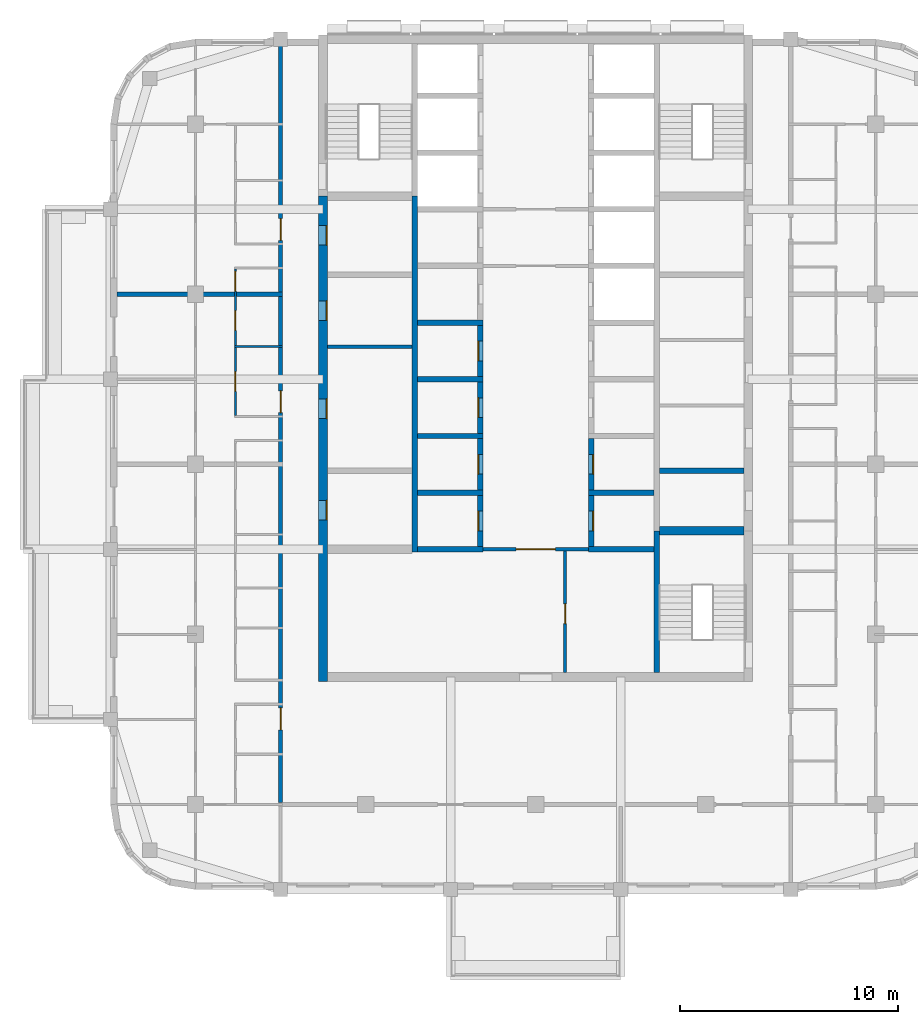
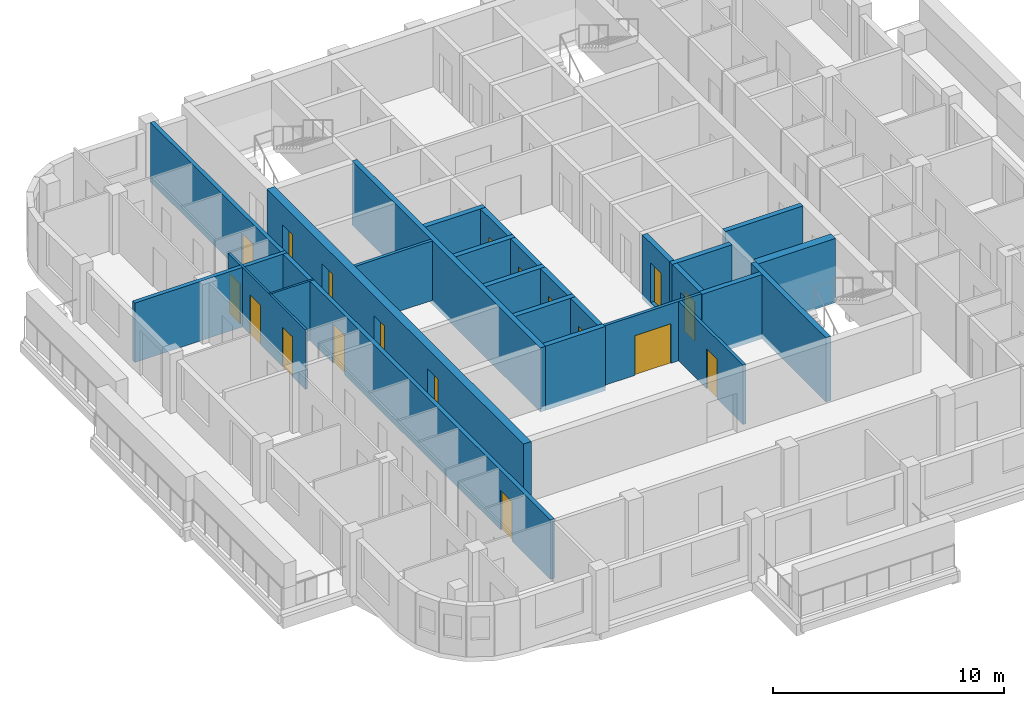
# One storey, part 4 of 13: 25 walls, 18 doors, 18 openings.
"""IFC4 building model written with IfcOpenShell, lengths in metres."""

from ifc_helpers import new_model, si_unit, direction, frame, frame_2d, origin, place, context, subcontext, project, spatial, rectangle, extrude, material, layer, layer_set, type_object, element, fill, save


model = new_model("IFC4")

# Units and contexts
model_context = context("Model", 3, precision=1e-05, world=origin(), true_north=direction((0.0, 1.0)))
body_context = subcontext(model_context, "Body", "Model", "MODEL_VIEW")
ifc_project = project(units=[si_unit("LENGTHUNIT", "METRE"), si_unit("AREAUNIT", "SQUARE_METRE"), si_unit("VOLUMEUNIT", "CUBIC_METRE"), si_unit("PLANEANGLEUNIT", "RADIAN"), si_unit("MASSUNIT", "GRAM", prefix="KILO")], contexts=[model_context])

# Site, building, storey
site_placement = place(None, origin())
site = spatial("IfcSite", under=ifc_project, at=site_placement, CompositionType="ELEMENT")
building_placement = place(site_placement, origin())
building = spatial("IfcBuilding", under=site, at=building_placement, Name="Ludao Terraces", CompositionType="ELEMENT")
storey_placement = place(building_placement, frame((0.0, 0.0, 249.39990234375)))
storey = spatial("IfcBuildingStorey", under=building, at=storey_placement, Name="L68", CompositionType="ELEMENT", Elevation=249.39990234375)

# Wall, openings, doors
ifc_material_1 = material(Name="Concrete C50", Category="concrete")
ifc_layer_1 = layer(ifc_material_1, 0.39990234375)
ifc_layer_set_1 = layer_set([ifc_layer_1], Name="Core wall 400 C50")
wall_type_1 = type_object("IfcWallType", Name="Core wall 400 C50", PredefinedType="SOLIDWALL", material=ifc_layer_set_1)
wall_1_placement = place(storey_placement, frame((75.25, 55.050048828125, -0.25), z_axis=(0.0, 0.0, 1.0), x_axis=(0.0, 1.0, 0.0)))
wall_1 = element("IfcWall", 1, at=wall_1_placement, inside=storey, type_object=wall_type_1, Name="Core wall L68 outer-W", PredefinedType="SOLIDWALL", context=body_context, shape_type="SweptSolid", body=[
    extrude(rectangle(XDim=22.25, YDim=0.39990234375, at=frame_2d((11.125, 0.0))), origin(), (0.0, 0.0, 1.0), 3.400146484375),
])
opening_1_placement = place(wall_1_placement, frame((7.39990234375, 0.0, 0.25)))
opening_1 = element("IfcOpeningElement", 2, at=opening_1_placement, cuts=wall_1, Name="Opening R24-030", PredefinedType="OPENING", context=body_context, shape_type="SweptSolid", body=[
    extrude(rectangle(XDim=0.89990234375, YDim=2.10009765625, at=frame_2d((0.449951171875, 1.050048828125))), frame((0.0, 0.2099609375, 0.0), z_axis=(0.0, -1.0, 0.0), x_axis=(1.0, 0.0, 0.0)), (0.0, 0.0, 1.0), 0.419921875),
])
opening_2_placement = place(wall_1_placement, frame((12.050048828125, 0.0, 0.25)))
opening_2 = element("IfcOpeningElement", 3, at=opening_2_placement, cuts=wall_1, Name="Opening R24-043", PredefinedType="OPENING", context=body_context, shape_type="SweptSolid", body=[
    extrude(rectangle(XDim=0.89990234375, YDim=2.10009765625, at=frame_2d((0.449951171875, 1.050048828125))), frame((0.0, 0.2099609375, 0.0), z_axis=(0.0, -1.0, 0.0), x_axis=(1.0, 0.0, 0.0)), (0.0, 0.0, 1.0), 0.419921875),
])
opening_3_placement = place(wall_1_placement, frame((16.550048828125, 0.0, 0.25)))
opening_3 = element("IfcOpeningElement", 4, at=opening_3_placement, cuts=wall_1, Name="Opening R24-057", PredefinedType="OPENING", context=body_context, shape_type="SweptSolid", body=[
    extrude(rectangle(XDim=0.89990234375, YDim=2.10009765625, at=frame_2d((0.449951171875, 1.050048828125))), frame((0.0, 0.2099609375, 0.0), z_axis=(0.0, -1.0, 0.0), x_axis=(1.0, 0.0, 0.0)), (0.0, 0.0, 1.0), 0.419921875),
])
opening_4_placement = place(wall_1_placement, frame((20.0, 0.0, 0.25)))
opening_4 = element("IfcOpeningElement", 5, at=opening_4_placement, cuts=wall_1, Name="Opening R24-066", PredefinedType="OPENING", context=body_context, shape_type="SweptSolid", body=[
    extrude(rectangle(XDim=0.89990234375, YDim=2.10009765625, at=frame_2d((0.449951171875, 1.050048828125))), frame((0.0, 0.2099609375, 0.0), z_axis=(0.0, -1.0, 0.0), x_axis=(1.0, 0.0, 0.0)), (0.0, 0.0, 1.0), 0.419921875),
])
ifc_material_2 = material(Name="Steel Q235", Category="steel")
door_type_1 = type_object("IfcDoorType", Name="INT Riser door 900", OperationType="SINGLE_SWING_LEFT", PredefinedType="DOOR", material=ifc_material_2)
door_1_placement = place(opening_1_placement, origin())
door_1 = element("IfcDoor", 6, at=door_1_placement, inside=storey, type_object=door_type_1, Name="DOOR 030", OperationType="SINGLE_SWING_RIGHT", OverallHeight=2.10009765625, OverallWidth=0.89990234375, PredefinedType="DOOR", context=body_context, shape_type="SweptSolid", body=[
    extrude(rectangle(XDim=0.89990234375, YDim=2.10009765625, at=frame_2d((0.449951171875, 1.050048828125))), frame((0.0, -0.134765625, 0.0), z_axis=(0.0, -1.0, 0.0), x_axis=(1.0, 0.0, 0.0)), (0.0, 0.0, 1.0), 0.050048828125),
])
fill(opening_1, door_1)
door_2_placement = place(opening_4_placement, origin())
door_2 = element("IfcDoor", 7, at=door_2_placement, inside=storey, type_object=door_type_1, Name="DOOR 066", OperationType="SINGLE_SWING_LEFT", OverallHeight=2.10009765625, OverallWidth=0.89990234375, PredefinedType="DOOR", context=body_context, shape_type="SweptSolid", body=[
    extrude(rectangle(XDim=0.89990234375, YDim=2.10009765625, at=frame_2d((0.449951171875, 1.050048828125))), frame((0.0, -0.134765625, 0.0), z_axis=(0.0, -1.0, 0.0), x_axis=(1.0, 0.0, 0.0)), (0.0, 0.0, 1.0), 0.050048828125),
])
fill(opening_4, door_2)
ifc_material_3 = material(Name="Timber door leaf", Category="wood")
door_type_2 = type_object("IfcDoorType", Name="INT Room door 900", OperationType="SINGLE_SWING_LEFT", PredefinedType="DOOR", material=ifc_material_3)
door_3_placement = place(opening_2_placement, origin())
door_3 = element("IfcDoor", 8, at=door_3_placement, inside=storey, type_object=door_type_2, Name="DOOR 043", OperationType="SINGLE_SWING_RIGHT", OverallHeight=2.10009765625, OverallWidth=0.89990234375, PredefinedType="DOOR", context=body_context, shape_type="SweptSolid", body=[
    extrude(rectangle(XDim=0.89990234375, YDim=2.10009765625, at=frame_2d((0.449951171875, 1.050048828125))), frame((0.0, -0.134765625, 0.0), z_axis=(0.0, -1.0, 0.0), x_axis=(1.0, 0.0, 0.0)), (0.0, 0.0, 1.0), 0.050048828125),
])
fill(opening_2, door_3)
door_4_placement = place(opening_3_placement, origin())
door_4 = element("IfcDoor", 9, at=door_4_placement, inside=storey, type_object=door_type_2, Name="DOOR 057", OperationType="SINGLE_SWING_RIGHT", OverallHeight=2.10009765625, OverallWidth=0.89990234375, PredefinedType="DOOR", context=body_context, shape_type="SweptSolid", body=[
    extrude(rectangle(XDim=0.89990234375, YDim=2.10009765625, at=frame_2d((0.449951171875, 1.050048828125))), frame((0.0, -0.134765625, 0.0), z_axis=(0.0, -1.0, 0.0), x_axis=(1.0, 0.0, 0.0)), (0.0, 0.0, 1.0), 0.050048828125),
])
fill(opening_3, door_4)

# Wall, opening, door
ifc_material_4 = material(Name="Fire-rated gypsum plasterboard", Category="gypsum")
ifc_layer_2 = layer(ifc_material_4, 0.012451171875, Category="gypsum")
ifc_material_5 = material(Name="Mineral wool")
ifc_layer_3 = layer(ifc_material_5, 0.10009765625, Name="insulation")
ifc_layer_4 = layer(ifc_material_2, 0.02490234375, Name="stud")
ifc_layer_5 = layer(ifc_material_4, 0.012451171875, Category="gypsum")
ifc_layer_set_2 = layer_set([ifc_layer_2, ifc_layer_3, ifc_layer_4, ifc_layer_5], Name="INT Core partition 150")
wall_type_2 = type_object("IfcWallType", Name="INT Core partition 150", PredefinedType="PARTITIONING", material=ifc_layer_set_2)
wall_2_placement = place(storey_placement, frame((82.5751953125, 61.10009765625, 0.0), z_axis=(0.0, 0.0, 1.0), x_axis=(1.0, 0.0, 0.0)))
wall_2 = element("IfcWall", 10, at=wall_2_placement, inside=storey, type_object=wall_type_2, Name="PW-L68-PW017", PredefinedType="PARTITIONING", context=body_context, shape_type="SweptSolid", body=[
    extrude(rectangle(XDim=4.849853515625, YDim=0.14990234375, at=frame_2d((2.4248046875, 0.0))), origin(), (0.0, 0.0, 1.0), 3.150146484375),
])
opening_5_placement = place(wall_2_placement, frame((1.52490234375, 0.0, 0.0)))
opening_5 = element("IfcOpeningElement", 11, at=opening_5_placement, cuts=wall_2, Name="Opening R24-026", PredefinedType="OPENING", context=body_context, shape_type="SweptSolid", body=[
    extrude(rectangle(XDim=1.800048828125, YDim=2.10009765625, at=frame_2d((0.89990234375, 1.050048828125))), frame((0.0, 0.0849609375, 0.0), z_axis=(0.0, -1.0, 0.0), x_axis=(1.0, 0.0, 0.0)), (0.0, 0.0, 1.0), 0.169921875),
])
door_type_3 = type_object("IfcDoorType", Name="INT Fire lobby door 1800", OperationType="DOUBLE_DOOR_SINGLE_SWING", PredefinedType="DOOR", material=ifc_material_2)
door_5_placement = place(opening_5_placement, origin())
door_5 = element("IfcDoor", 12, at=door_5_placement, inside=storey, type_object=door_type_3, Name="DOOR 026", OperationType="DOUBLE_DOOR_SINGLE_SWING", OverallHeight=2.10009765625, OverallWidth=1.800048828125, PredefinedType="DOOR", context=body_context, shape_type="SweptSolid", body=[
    extrude(rectangle(XDim=1.800048828125, YDim=2.10009765625, at=frame_2d((0.89990234375, 1.050048828125))), frame((0.0, 0.02490234375, 0.0), z_axis=(0.0, -1.0, 0.0), x_axis=(1.0, 0.0, 0.0)), (0.0, 0.0, 1.0), 0.050048828125),
])
fill(opening_5, door_5)

# Wall
wall_3_placement = place(storey_placement, frame((75.4501953125, 70.39990234375, 0.0), z_axis=(0.0, 0.0, 1.0), x_axis=(1.0, 0.0, 0.0)))
element("IfcWall", 13, at=wall_3_placement, inside=storey, type_object=wall_type_2, Name="PW-L68-PW032", PredefinedType="PARTITIONING", context=body_context, shape_type="SweptSolid", body=[
    extrude(rectangle(XDim=3.875, YDim=0.14990234375, at=frame_2d((1.9375, 0.0))), origin(), (0.0, 0.0, 1.0), 3.150146484375),
])

# Wall, opening, door
wall_4_placement = place(storey_placement, frame((86.35009765625, 55.4501953125, 0.0), z_axis=(0.0, 0.0, 1.0), x_axis=(0.0, 1.0, 0.0)))
wall_4 = element("IfcWall", 14, at=wall_4_placement, inside=storey, type_object=wall_type_2, Name="PW-L68-PW053", PredefinedType="PARTITIONING", context=body_context, shape_type="SweptSolid", body=[
    extrude(rectangle(XDim=5.574951171875, YDim=0.14990234375, at=frame_2d((2.78759765625, 0.0))), origin(), (0.0, 0.0, 1.0), 3.150146484375),
])
opening_6_placement = place(wall_4_placement, frame((2.25, 0.0, 0.0)))
opening_6 = element("IfcOpeningElement", 15, at=opening_6_placement, cuts=wall_4, Name="Opening R24-020", PredefinedType="OPENING", context=body_context, shape_type="SweptSolid", body=[
    extrude(rectangle(XDim=0.89990234375, YDim=2.10009765625, at=frame_2d((0.449951171875, 1.050048828125))), frame((0.0, 0.0849609375, 0.0), z_axis=(0.0, -1.0, 0.0), x_axis=(1.0, 0.0, 0.0)), (0.0, 0.0, 1.0), 0.169921875),
])
door_6_placement = place(opening_6_placement, origin())
door_6 = element("IfcDoor", 16, at=door_6_placement, inside=storey, type_object=door_type_2, Name="DOOR 020", OperationType="SINGLE_SWING_RIGHT", OverallHeight=2.10009765625, OverallWidth=0.89990234375, PredefinedType="DOOR", context=body_context, shape_type="SweptSolid", body=[
    extrude(rectangle(XDim=0.89990234375, YDim=2.10009765625, at=frame_2d((0.449951171875, 1.050048828125))), frame((0.0, 0.02490234375, 0.0), z_axis=(0.0, -1.0, 0.0), x_axis=(1.0, 0.0, 0.0)), (0.0, 0.0, 1.0), 0.050048828125),
])
fill(opening_6, door_6)

# Wall, openings, doors
ifc_material_6 = material(Name="Autoclaved aerated concrete block B06 A3.5", Category="concrete")
ifc_layer_6 = layer(ifc_material_6, 0.199951171875)
ifc_layer_set_3 = layer_set([ifc_layer_6], Name="INT Entrance wall 200")
wall_type_3 = type_object("IfcWallType", Name="INT Entrance wall 200", PredefinedType="PARTITIONING", material=ifc_layer_set_3)
wall_5_placement = place(storey_placement, frame((73.300048828125, 49.5, 0.0), z_axis=(0.0, 0.0, 1.0), x_axis=(0.0, 1.0, 0.0)))
wall_5 = element("IfcWall", 17, at=wall_5_placement, inside=storey, type_object=wall_type_3, Name="PW-L68-PW052", PredefinedType="PARTITIONING", context=body_context, shape_type="SweptSolid", body=[
    extrude(rectangle(XDim=34.7001953125, YDim=0.199951171875, at=frame_2d((17.35009765625, 0.0))), origin(), (0.0, 0.0, 1.0), 3.150146484375),
])
opening_7_placement = place(wall_5_placement, frame((3.3251953125, 0.0, 0.0)))
opening_7 = element("IfcOpeningElement", 18, at=opening_7_placement, cuts=wall_5, Name="Opening R24-014", PredefinedType="OPENING", context=body_context, shape_type="SweptSolid", body=[
    extrude(rectangle(XDim=1.0, YDim=2.10009765625, at=frame_2d((0.5, 1.050048828125))), frame((0.0, 0.10986328125, 0.0), z_axis=(0.0, -1.0, 0.0), x_axis=(1.0, 0.0, 0.0)), (0.0, 0.0, 1.0), 0.219970703125),
])
opening_8_placement = place(wall_5_placement, frame((17.875, 0.0, 0.0)))
opening_8 = element("IfcOpeningElement", 19, at=opening_8_placement, cuts=wall_5, Name="Opening R24-046", PredefinedType="OPENING", context=body_context, shape_type="SweptSolid", body=[
    extrude(rectangle(XDim=1.0, YDim=2.10009765625, at=frame_2d((0.5, 1.050048828125))), frame((0.0, 0.10986328125, 0.0), z_axis=(0.0, -1.0, 0.0), x_axis=(1.0, 0.0, 0.0)), (0.0, 0.0, 1.0), 0.219970703125),
])
opening_9_placement = place(wall_5_placement, frame((25.775146484375, 0.0, 0.0)))
opening_9 = element("IfcOpeningElement", 20, at=opening_9_placement, cuts=wall_5, Name="Opening R24-068", PredefinedType="OPENING", context=body_context, shape_type="SweptSolid", body=[
    extrude(rectangle(XDim=1.0, YDim=2.10009765625, at=frame_2d((0.5, 1.050048828125))), frame((0.0, 0.10986328125, 0.0), z_axis=(0.0, -1.0, 0.0), x_axis=(1.0, 0.0, 0.0)), (0.0, 0.0, 1.0), 0.219970703125),
])
door_type_4 = type_object("IfcDoorType", Name="INT Flat entrance door 1000", OperationType="SINGLE_SWING_LEFT", PredefinedType="DOOR", material=ifc_material_2)
door_7_placement = place(opening_7_placement, origin())
door_7 = element("IfcDoor", 21, at=door_7_placement, inside=storey, type_object=door_type_4, Name="DOOR 014", OperationType="SINGLE_SWING_LEFT", OverallHeight=2.10009765625, OverallWidth=1.0, PredefinedType="DOOR", context=body_context, shape_type="SweptSolid", body=[
    extrude(rectangle(XDim=1.0, YDim=2.10009765625, at=frame_2d((0.5, 1.050048828125))), frame((0.0, 0.02490234375, 0.0), z_axis=(0.0, -1.0, 0.0), x_axis=(1.0, 0.0, 0.0)), (0.0, 0.0, 1.0), 0.050048828125),
])
fill(opening_7, door_7)
door_8_placement = place(opening_8_placement, origin())
door_8 = element("IfcDoor", 22, at=door_8_placement, inside=storey, type_object=door_type_4, Name="DOOR 046", OperationType="SINGLE_SWING_RIGHT", OverallHeight=2.10009765625, OverallWidth=1.0, PredefinedType="DOOR", context=body_context, shape_type="SweptSolid", body=[
    extrude(rectangle(XDim=1.0, YDim=2.10009765625, at=frame_2d((0.5, 1.050048828125))), frame((0.0, 0.02490234375, 0.0), z_axis=(0.0, -1.0, 0.0), x_axis=(1.0, 0.0, 0.0)), (0.0, 0.0, 1.0), 0.050048828125),
])
fill(opening_8, door_8)
door_9_placement = place(opening_9_placement, origin())
door_9 = element("IfcDoor", 23, at=door_9_placement, inside=storey, type_object=door_type_4, Name="DOOR 068", OperationType="SINGLE_SWING_RIGHT", OverallHeight=2.10009765625, OverallWidth=1.0, PredefinedType="DOOR", context=body_context, shape_type="SweptSolid", body=[
    extrude(rectangle(XDim=1.0, YDim=2.10009765625, at=frame_2d((0.5, 1.050048828125))), frame((0.0, 0.02490234375, 0.0), z_axis=(0.0, -1.0, 0.0), x_axis=(1.0, 0.0, 0.0)), (0.0, 0.0, 1.0), 0.050048828125),
])
fill(opening_9, door_9)

# Wall
ifc_material_7 = material(Name="Gypsum plasterboard", Category="gypsum")
ifc_layer_7 = layer(ifc_material_7, 0.012451171875, Category="gypsum")
ifc_layer_8 = layer(ifc_material_5, 0.06005859375, Name="insulation")
ifc_layer_9 = layer(ifc_material_2, 0.014892578125, Name="stud")
ifc_layer_10 = layer(ifc_material_7, 0.012451171875, Category="gypsum")
ifc_layer_set_4 = layer_set([ifc_layer_7, ifc_layer_8, ifc_layer_9, ifc_layer_10], Name="INT Partition 100")
wall_type_4 = type_object("IfcWallType", Name="INT Partition 100", PredefinedType="PARTITIONING", material=ifc_layer_set_4)
wall_6_placement = place(storey_placement, frame((71.18017578125, 70.39990234375, 0.0), z_axis=(0.0, 0.0, 1.0), x_axis=(1.0, 0.0, 0.0)))
element("IfcWall", 24, at=wall_6_placement, inside=storey, type_object=wall_type_4, Name="PW-L68-PW031", PredefinedType="PARTITIONING", context=body_context, shape_type="SweptSolid", body=[
    extrude(rectangle(XDim=2.219970703125, YDim=0.10009765625, at=frame_2d((1.10986328125, 0.0))), origin(), (0.0, 0.0, 1.0), 3.150146484375),
])

# Wall, openings, doors
wall_7_placement = place(storey_placement, frame((71.22998046875, 67.25, 0.0), z_axis=(0.0, 0.0, 1.0), x_axis=(0.0, 1.0, 0.0)))
wall_7 = element("IfcWall", 25, at=wall_7_placement, inside=storey, type_object=wall_type_4, Name="PW-L68-PW049", PredefinedType="PARTITIONING", context=body_context, shape_type="SweptSolid", body=[
    extrude(rectangle(XDim=6.7001953125, YDim=0.10009765625, at=frame_2d((3.35009765625, 0.0))), origin(), (0.0, 0.0, 1.0), 3.150146484375),
])
opening_10_placement = place(wall_7_placement, frame((1.10009765625, 0.0, 0.0)))
opening_10 = element("IfcOpeningElement", 26, at=opening_10_placement, cuts=wall_7, Name="Opening R24-048", PredefinedType="OPENING", context=body_context, shape_type="SweptSolid", body=[
    extrude(rectangle(XDim=0.89990234375, YDim=2.10009765625, at=frame_2d((0.449951171875, 1.050048828125))), frame((0.0, 0.06005859375, 0.0), z_axis=(0.0, -1.0, 0.0), x_axis=(1.0, 0.0, 0.0)), (0.0, 0.0, 1.0), 0.1201171875),
])
opening_11_placement = place(wall_7_placement, frame((3.900146484375, 0.0, 0.0)))
opening_11 = element("IfcOpeningElement", 27, at=opening_11_placement, cuts=wall_7, Name="Opening R24-056", PredefinedType="OPENING", context=body_context, shape_type="SweptSolid", body=[
    extrude(rectangle(XDim=0.89990234375, YDim=2.10009765625, at=frame_2d((0.449951171875, 1.050048828125))), frame((0.0, 0.06005859375, 0.0), z_axis=(0.0, -1.0, 0.0), x_axis=(1.0, 0.0, 0.0)), (0.0, 0.0, 1.0), 0.1201171875),
])
opening_12_placement = place(wall_7_placement, frame((5.7001953125, 0.0, 0.0)))
opening_12 = element("IfcOpeningElement", 28, at=opening_12_placement, cuts=wall_7, Name="Opening R24-061", PredefinedType="OPENING", context=body_context, shape_type="SweptSolid", body=[
    extrude(rectangle(XDim=0.89990234375, YDim=2.10009765625, at=frame_2d((0.449951171875, 1.050048828125))), frame((0.0, 0.06005859375, 0.0), z_axis=(0.0, -1.0, 0.0), x_axis=(1.0, 0.0, 0.0)), (0.0, 0.0, 1.0), 0.1201171875),
])
door_type_5 = type_object("IfcDoorType", Name="INT Bathroom door 900", OperationType="SINGLE_SWING_LEFT", PredefinedType="DOOR", material=ifc_material_3)
door_10_placement = place(opening_11_placement, origin())
door_10 = element("IfcDoor", 29, at=door_10_placement, inside=storey, type_object=door_type_5, Name="DOOR 056", OperationType="SINGLE_SWING_RIGHT", OverallHeight=2.10009765625, OverallWidth=0.89990234375, PredefinedType="DOOR", context=body_context, shape_type="SweptSolid", body=[
    extrude(rectangle(XDim=0.89990234375, YDim=2.10009765625, at=frame_2d((0.449951171875, 1.050048828125))), frame((0.0, 0.02490234375, 0.0), z_axis=(0.0, -1.0, 0.0), x_axis=(1.0, 0.0, 0.0)), (0.0, 0.0, 1.0), 0.050048828125),
])
fill(opening_11, door_10)
door_11_placement = place(opening_12_placement, origin())
door_11 = element("IfcDoor", 30, at=door_11_placement, inside=storey, type_object=door_type_5, Name="DOOR 061", OperationType="SINGLE_SWING_RIGHT", OverallHeight=2.10009765625, OverallWidth=0.89990234375, PredefinedType="DOOR", context=body_context, shape_type="SweptSolid", body=[
    extrude(rectangle(XDim=0.89990234375, YDim=2.10009765625, at=frame_2d((0.449951171875, 1.050048828125))), frame((0.0, 0.02490234375, 0.0), z_axis=(0.0, -1.0, 0.0), x_axis=(1.0, 0.0, 0.0)), (0.0, 0.0, 1.0), 0.050048828125),
])
fill(opening_12, door_11)
door_12_placement = place(opening_10_placement, origin())
door_12 = element("IfcDoor", 31, at=door_12_placement, inside=storey, type_object=door_type_2, Name="DOOR 048", OperationType="SINGLE_SWING_RIGHT", OverallHeight=2.10009765625, OverallWidth=0.89990234375, PredefinedType="DOOR", context=body_context, shape_type="SweptSolid", body=[
    extrude(rectangle(XDim=0.89990234375, YDim=2.10009765625, at=frame_2d((0.449951171875, 1.050048828125))), frame((0.0, 0.02490234375, 0.0), z_axis=(0.0, -1.0, 0.0), x_axis=(1.0, 0.0, 0.0)), (0.0, 0.0, 1.0), 0.050048828125),
])
fill(opening_10, door_12)

# Walls
ifc_layer_11 = layer(ifc_material_6, 0.199951171875)
ifc_layer_set_5 = layer_set([ifc_layer_11], Name="INT Party wall 200")
wall_type_5 = type_object("IfcWallType", Name="INT Party wall 200", PredefinedType="PARTITIONING", material=ifc_layer_set_5)
wall_8_placement = place(storey_placement, frame((65.800048828125, 72.800048828125, 0.0), z_axis=(0.0, 0.0, 1.0), x_axis=(1.0, 0.0, 0.0)))
element("IfcWall", 32, at=wall_8_placement, inside=storey, type_object=wall_type_5, Name="PW-L68-PW034", PredefinedType="PARTITIONING", context=body_context, shape_type="SweptSolid", body=[
    extrude(rectangle(XDim=7.60009765625, YDim=0.199951171875, at=frame_2d((3.800048828125, 0.0))), origin(), (0.0, 0.0, 1.0), 3.150146484375),
])
ifc_layer_12 = layer(ifc_material_1, 0.25)
ifc_layer_set_6 = layer_set([ifc_layer_12], Name="Shaft wall 250 C50")
wall_type_6 = type_object("IfcWallType", Name="Shaft wall 250 C50", PredefinedType="SOLIDWALL", material=ifc_layer_set_6)
wall_9_placement = place(storey_placement, frame((79.449951171875, 60.97509765625, -0.25), z_axis=(0.0, 0.0, 1.0), x_axis=(0.0, 1.0, 0.0)))
element("IfcWall", 33, at=wall_9_placement, inside=storey, type_object=wall_type_6, Name="Core wall L68 back-W", PredefinedType="SOLIDWALL", context=body_context, shape_type="SweptSolid", body=[
    extrude(rectangle(XDim=16.324951171875, YDim=0.25, at=frame_2d((8.16259765625, 0.0))), origin(), (0.0, 0.0, 1.0), 3.400146484375),
])
wall_10_placement = place(storey_placement, frame((90.550048828125, 55.449951171875, -0.25), z_axis=(0.0, 0.0, 1.0), x_axis=(0.0, 1.0, 0.0)))
element("IfcWall", 34, at=wall_10_placement, inside=storey, type_object=wall_type_6, Name="Core wall L68 back-E-S3", PredefinedType="SOLIDWALL", context=body_context, shape_type="SweptSolid", body=[
    extrude(rectangle(XDim=6.5, YDim=0.25, at=frame_2d((3.25, 0.0))), origin(), (0.0, 0.0, 1.0), 3.400146484375),
])
wall_11_placement = place(storey_placement, frame((79.574951171875, 61.10009765625, -0.25), z_axis=(0.0, 0.0, 1.0), x_axis=(1.0, 0.0, 0.0)))
element("IfcWall", 35, at=wall_11_placement, inside=storey, type_object=wall_type_6, Name="Core wall L68 div-W1", PredefinedType="SOLIDWALL", context=body_context, shape_type="SweptSolid", body=[
    extrude(rectangle(XDim=3.0, YDim=0.25, at=frame_2d((1.5, 0.0))), origin(), (0.0, 0.0, 1.0), 3.400146484375),
])

# Wall, opening, door
wall_12_placement = place(storey_placement, frame((82.449951171875, 61.22509765625, -0.25), z_axis=(0.0, 0.0, 1.0), x_axis=(0.0, 1.0, 0.0)))
wall_12 = element("IfcWall", 36, at=wall_12_placement, inside=storey, type_object=wall_type_6, Name="Core wall L68 front-W1", PredefinedType="SOLIDWALL", context=body_context, shape_type="SweptSolid", body=[
    extrude(rectangle(XDim=2.349853515625, YDim=0.25, at=frame_2d((1.1748046875, 0.0))), origin(), (0.0, 0.0, 1.0), 3.400146484375),
])
opening_13_placement = place(wall_12_placement, frame((0.72509765625, 0.0, 0.25)))
opening_13 = element("IfcOpeningElement", 37, at=opening_13_placement, cuts=wall_12, Name="Opening R24-028", PredefinedType="OPENING", context=body_context, shape_type="SweptSolid", body=[
    extrude(rectangle(XDim=0.89990234375, YDim=2.10009765625, at=frame_2d((0.449951171875, 1.050048828125))), frame((0.0, 0.135009765625, 0.0), z_axis=(0.0, -1.0, 0.0), x_axis=(1.0, 0.0, 0.0)), (0.0, 0.0, 1.0), 0.27001953125),
])
door_13_placement = place(opening_13_placement, origin())
door_13 = element("IfcDoor", 38, at=door_13_placement, inside=storey, type_object=door_type_2, Name="DOOR 028", OperationType="SINGLE_SWING_LEFT", OverallHeight=2.10009765625, OverallWidth=0.89990234375, PredefinedType="DOOR", context=body_context, shape_type="SweptSolid", body=[
    extrude(rectangle(XDim=0.89990234375, YDim=2.10009765625, at=frame_2d((0.449951171875, 1.050048828125))), frame((0.0, 0.10986328125, 0.0), z_axis=(0.0, -1.0, 0.0), x_axis=(1.0, 0.0, 0.0)), (0.0, 0.0, 1.0), 0.050048828125),
])
fill(opening_13, door_13)

# Wall
wall_13_placement = place(storey_placement, frame((79.574951171875, 63.699951171875, -0.25), z_axis=(0.0, 0.0, 1.0), x_axis=(1.0, 0.0, 0.0)))
element("IfcWall", 39, at=wall_13_placement, inside=storey, type_object=wall_type_6, Name="Core wall L68 div-W2", PredefinedType="SOLIDWALL", context=body_context, shape_type="SweptSolid", body=[
    extrude(rectangle(XDim=3.0, YDim=0.25, at=frame_2d((1.5, 0.0))), origin(), (0.0, 0.0, 1.0), 3.400146484375),
])

# Wall, opening, door
wall_14_placement = place(storey_placement, frame((82.449951171875, 63.824951171875, -0.25), z_axis=(0.0, 0.0, 1.0), x_axis=(0.0, 1.0, 0.0)))
wall_14 = element("IfcWall", 40, at=wall_14_placement, inside=storey, type_object=wall_type_6, Name="Core wall L68 front-W2", PredefinedType="SOLIDWALL", context=body_context, shape_type="SweptSolid", body=[
    extrude(rectangle(XDim=2.35009765625, YDim=0.25, at=frame_2d((1.175048828125, 0.0))), origin(), (0.0, 0.0, 1.0), 3.400146484375),
])
opening_14_placement = place(wall_14_placement, frame((0.72509765625, 0.0, 0.25)))
opening_14 = element("IfcOpeningElement", 41, at=opening_14_placement, cuts=wall_14, Name="Opening R24-036", PredefinedType="OPENING", context=body_context, shape_type="SweptSolid", body=[
    extrude(rectangle(XDim=0.89990234375, YDim=2.10009765625, at=frame_2d((0.449951171875, 1.050048828125))), frame((0.0, 0.135009765625, 0.0), z_axis=(0.0, -1.0, 0.0), x_axis=(1.0, 0.0, 0.0)), (0.0, 0.0, 1.0), 0.27001953125),
])
door_14_placement = place(opening_14_placement, origin())
door_14 = element("IfcDoor", 42, at=door_14_placement, inside=storey, type_object=door_type_2, Name="DOOR 036", OperationType="SINGLE_SWING_LEFT", OverallHeight=2.10009765625, OverallWidth=0.89990234375, PredefinedType="DOOR", context=body_context, shape_type="SweptSolid", body=[
    extrude(rectangle(XDim=0.89990234375, YDim=2.10009765625, at=frame_2d((0.449951171875, 1.050048828125))), frame((0.0, 0.10986328125, 0.0), z_axis=(0.0, -1.0, 0.0), x_axis=(1.0, 0.0, 0.0)), (0.0, 0.0, 1.0), 0.050048828125),
])
fill(opening_14, door_14)

# Wall
wall_15_placement = place(storey_placement, frame((79.574951171875, 66.300048828125, -0.25), z_axis=(0.0, 0.0, 1.0), x_axis=(1.0, 0.0, 0.0)))
element("IfcWall", 43, at=wall_15_placement, inside=storey, type_object=wall_type_6, Name="Core wall L68 div-W3", PredefinedType="SOLIDWALL", context=body_context, shape_type="SweptSolid", body=[
    extrude(rectangle(XDim=3.0, YDim=0.25, at=frame_2d((1.5, 0.0))), origin(), (0.0, 0.0, 1.0), 3.400146484375),
])

# Wall, opening, door
wall_16_placement = place(storey_placement, frame((82.449951171875, 66.425048828125, -0.25), z_axis=(0.0, 0.0, 1.0), x_axis=(0.0, 1.0, 0.0)))
wall_16 = element("IfcWall", 44, at=wall_16_placement, inside=storey, type_object=wall_type_6, Name="Core wall L68 front-W3", PredefinedType="SOLIDWALL", context=body_context, shape_type="SweptSolid", body=[
    extrude(rectangle(XDim=2.349853515625, YDim=0.25, at=frame_2d((1.1748046875, 0.0))), origin(), (0.0, 0.0, 1.0), 3.400146484375),
])
opening_15_placement = place(wall_16_placement, frame((0.72509765625, 0.0, 0.25)))
opening_15 = element("IfcOpeningElement", 45, at=opening_15_placement, cuts=wall_16, Name="Opening R24-044", PredefinedType="OPENING", context=body_context, shape_type="SweptSolid", body=[
    extrude(rectangle(XDim=0.89990234375, YDim=2.10009765625, at=frame_2d((0.449951171875, 1.050048828125))), frame((0.0, 0.135009765625, 0.0), z_axis=(0.0, -1.0, 0.0), x_axis=(1.0, 0.0, 0.0)), (0.0, 0.0, 1.0), 0.27001953125),
])
door_15_placement = place(opening_15_placement, origin())
door_15 = element("IfcDoor", 46, at=door_15_placement, inside=storey, type_object=door_type_2, Name="DOOR 044", OperationType="SINGLE_SWING_LEFT", OverallHeight=2.10009765625, OverallWidth=0.89990234375, PredefinedType="DOOR", context=body_context, shape_type="SweptSolid", body=[
    extrude(rectangle(XDim=0.89990234375, YDim=2.10009765625, at=frame_2d((0.449951171875, 1.050048828125))), frame((0.0, 0.10986328125, 0.0), z_axis=(0.0, -1.0, 0.0), x_axis=(1.0, 0.0, 0.0)), (0.0, 0.0, 1.0), 0.050048828125),
])
fill(opening_15, door_15)

# Wall
wall_17_placement = place(storey_placement, frame((79.574951171875, 68.89990234375, -0.25), z_axis=(0.0, 0.0, 1.0), x_axis=(1.0, 0.0, 0.0)))
element("IfcWall", 47, at=wall_17_placement, inside=storey, type_object=wall_type_6, Name="Core wall L68 div-W4", PredefinedType="SOLIDWALL", context=body_context, shape_type="SweptSolid", body=[
    extrude(rectangle(XDim=3.0, YDim=0.25, at=frame_2d((1.5, 0.0))), origin(), (0.0, 0.0, 1.0), 3.400146484375),
])

# Wall, opening, door
wall_18_placement = place(storey_placement, frame((82.449951171875, 69.02490234375, -0.25), z_axis=(0.0, 0.0, 1.0), x_axis=(0.0, 1.0, 0.0)))
wall_18 = element("IfcWall", 48, at=wall_18_placement, inside=storey, type_object=wall_type_6, Name="Core wall L68 front-W4", PredefinedType="SOLIDWALL", context=body_context, shape_type="SweptSolid", body=[
    extrude(rectangle(XDim=2.35009765625, YDim=0.25, at=frame_2d((1.175048828125, 0.0))), origin(), (0.0, 0.0, 1.0), 3.400146484375),
])
opening_16_placement = place(wall_18_placement, frame((0.72509765625, 0.0, 0.25)))
opening_16 = element("IfcOpeningElement", 49, at=opening_16_placement, cuts=wall_18, Name="Opening R24-051", PredefinedType="OPENING", context=body_context, shape_type="SweptSolid", body=[
    extrude(rectangle(XDim=0.89990234375, YDim=2.10009765625, at=frame_2d((0.449951171875, 1.050048828125))), frame((0.0, 0.135009765625, 0.0), z_axis=(0.0, -1.0, 0.0), x_axis=(1.0, 0.0, 0.0)), (0.0, 0.0, 1.0), 0.27001953125),
])
door_16_placement = place(opening_16_placement, origin())
door_16 = element("IfcDoor", 50, at=door_16_placement, inside=storey, type_object=door_type_2, Name="DOOR 051", OperationType="SINGLE_SWING_RIGHT", OverallHeight=2.10009765625, OverallWidth=0.89990234375, PredefinedType="DOOR", context=body_context, shape_type="SweptSolid", body=[
    extrude(rectangle(XDim=0.89990234375, YDim=2.10009765625, at=frame_2d((0.449951171875, 1.050048828125))), frame((0.0, 0.10986328125, 0.0), z_axis=(0.0, -1.0, 0.0), x_axis=(1.0, 0.0, 0.0)), (0.0, 0.0, 1.0), 0.050048828125),
])
fill(opening_16, door_16)

# Walls
for number, where, z_axis, x_axis, name in (
    (51, (79.574951171875, 71.5, -0.25), (0.0, 0.0, 1.0), (1.0, 0.0, 0.0), "Core wall L68 div-W5"),
    (52, (87.425048828125, 61.10009765625, -0.25), (0.0, 0.0, 1.0), (1.0, 0.0, 0.0), "Core wall L68 div-E1"),
):
    element("IfcWall", number, at=place(storey_placement, frame(where, z_axis=z_axis, x_axis=x_axis)), inside=storey, type_object=wall_type_6, Name=name, PredefinedType="SOLIDWALL", context=body_context, shape_type="SweptSolid", body=[
        extrude(rectangle(XDim=3.0, YDim=0.25, at=frame_2d((1.5, 0.0))), origin(), (0.0, 0.0, 1.0), 3.400146484375),
    ])

# Wall, opening, door
wall_19_placement = place(storey_placement, frame((87.550048828125, 61.22509765625, -0.25), z_axis=(0.0, 0.0, 1.0), x_axis=(0.0, 1.0, 0.0)))
wall_19 = element("IfcWall", 53, at=wall_19_placement, inside=storey, type_object=wall_type_6, Name="Core wall L68 front-E1", PredefinedType="SOLIDWALL", context=body_context, shape_type="SweptSolid", body=[
    extrude(rectangle(XDim=2.349853515625, YDim=0.25, at=frame_2d((1.1748046875, 0.0))), origin(), (0.0, 0.0, 1.0), 3.400146484375),
])
opening_17_placement = place(wall_19_placement, frame((0.72509765625, 0.0, 0.25)))
opening_17 = element("IfcOpeningElement", 54, at=opening_17_placement, cuts=wall_19, Name="Opening R24-029", PredefinedType="OPENING", context=body_context, shape_type="SweptSolid", body=[
    extrude(rectangle(XDim=0.89990234375, YDim=2.10009765625, at=frame_2d((0.449951171875, 1.050048828125))), frame((0.0, 0.135009765625, 0.0), z_axis=(0.0, -1.0, 0.0), x_axis=(1.0, 0.0, 0.0)), (0.0, 0.0, 1.0), 0.27001953125),
])
door_17_placement = place(opening_17_placement, origin())
door_17 = element("IfcDoor", 55, at=door_17_placement, inside=storey, type_object=door_type_2, Name="DOOR 029", OperationType="SINGLE_SWING_RIGHT", OverallHeight=2.10009765625, OverallWidth=0.89990234375, PredefinedType="DOOR", context=body_context, shape_type="SweptSolid", body=[
    extrude(rectangle(XDim=0.89990234375, YDim=2.10009765625, at=frame_2d((0.449951171875, 1.050048828125))), frame((0.0, -0.06005859375, 0.0), z_axis=(0.0, -1.0, 0.0), x_axis=(1.0, 0.0, 0.0)), (0.0, 0.0, 1.0), 0.050048828125),
])
fill(opening_17, door_17)

# Wall
wall_20_placement = place(storey_placement, frame((87.425048828125, 63.699951171875, -0.25), z_axis=(0.0, 0.0, 1.0), x_axis=(1.0, 0.0, 0.0)))
element("IfcWall", 56, at=wall_20_placement, inside=storey, type_object=wall_type_6, Name="Core wall L68 div-E2", PredefinedType="SOLIDWALL", context=body_context, shape_type="SweptSolid", body=[
    extrude(rectangle(XDim=3.0, YDim=0.25, at=frame_2d((1.5, 0.0))), origin(), (0.0, 0.0, 1.0), 3.400146484375),
])

# Wall, opening, door
wall_21_placement = place(storey_placement, frame((87.550048828125, 63.824951171875, -0.25), z_axis=(0.0, 0.0, 1.0), x_axis=(0.0, 1.0, 0.0)))
wall_21 = element("IfcWall", 57, at=wall_21_placement, inside=storey, type_object=wall_type_6, Name="Core wall L68 front-E2", PredefinedType="SOLIDWALL", context=body_context, shape_type="SweptSolid", body=[
    extrude(rectangle(XDim=2.35009765625, YDim=0.25, at=frame_2d((1.175048828125, 0.0))), origin(), (0.0, 0.0, 1.0), 3.400146484375),
])
opening_18_placement = place(wall_21_placement, frame((0.72509765625, 0.0, 0.25)))
opening_18 = element("IfcOpeningElement", 58, at=opening_18_placement, cuts=wall_21, Name="Opening R24-037", PredefinedType="OPENING", context=body_context, shape_type="SweptSolid", body=[
    extrude(rectangle(XDim=0.89990234375, YDim=2.10009765625, at=frame_2d((0.449951171875, 1.050048828125))), frame((0.0, 0.135009765625, 0.0), z_axis=(0.0, -1.0, 0.0), x_axis=(1.0, 0.0, 0.0)), (0.0, 0.0, 1.0), 0.27001953125),
])
door_18_placement = place(opening_18_placement, origin())
door_18 = element("IfcDoor", 59, at=door_18_placement, inside=storey, type_object=door_type_2, Name="DOOR 037", OperationType="SINGLE_SWING_RIGHT", OverallHeight=2.10009765625, OverallWidth=0.89990234375, PredefinedType="DOOR", context=body_context, shape_type="SweptSolid", body=[
    extrude(rectangle(XDim=0.89990234375, YDim=2.10009765625, at=frame_2d((0.449951171875, 1.050048828125))), frame((0.0, -0.06005859375, 0.0), z_axis=(0.0, -1.0, 0.0), x_axis=(1.0, 0.0, 0.0)), (0.0, 0.0, 1.0), 0.050048828125),
])
fill(opening_18, door_18)

# Walls
wall_22_placement = place(storey_placement, frame((90.675048828125, 64.699951171875, -0.25), z_axis=(0.0, 0.0, 1.0), x_axis=(1.0, 0.0, 0.0)))
element("IfcWall", 60, at=wall_22_placement, inside=storey, type_object=wall_type_6, Name="Core wall L68 riser-a-E", PredefinedType="SOLIDWALL", context=body_context, shape_type="SweptSolid", body=[
    extrude(rectangle(XDim=3.875, YDim=0.25, at=frame_2d((1.9375, 0.0))), origin(), (0.0, 0.0, 1.0), 3.400146484375),
])
ifc_layer_13 = layer(ifc_material_1, 0.39990234375)
ifc_layer_set_7 = layer_set([ifc_layer_13], Name="Shaft wall 400 C50")
wall_type_7 = type_object("IfcWallType", Name="Shaft wall 400 C50", PredefinedType="SOLIDWALL", material=ifc_layer_set_7)
wall_23_placement = place(storey_placement, frame((90.675048828125, 61.949951171875, -0.25), z_axis=(0.0, 0.0, 1.0), x_axis=(1.0, 0.0, 0.0)))
element("IfcWall", 61, at=wall_23_placement, inside=storey, type_object=wall_type_7, Name="Core wall L68 hall-E", PredefinedType="SOLIDWALL", context=body_context, shape_type="SweptSolid", body=[
    extrude(rectangle(XDim=3.875, YDim=0.39990234375, at=frame_2d((1.9375, 0.0))), origin(), (0.0, 0.0, 1.0), 3.400146484375),
])

save(model, "model.ifc")
